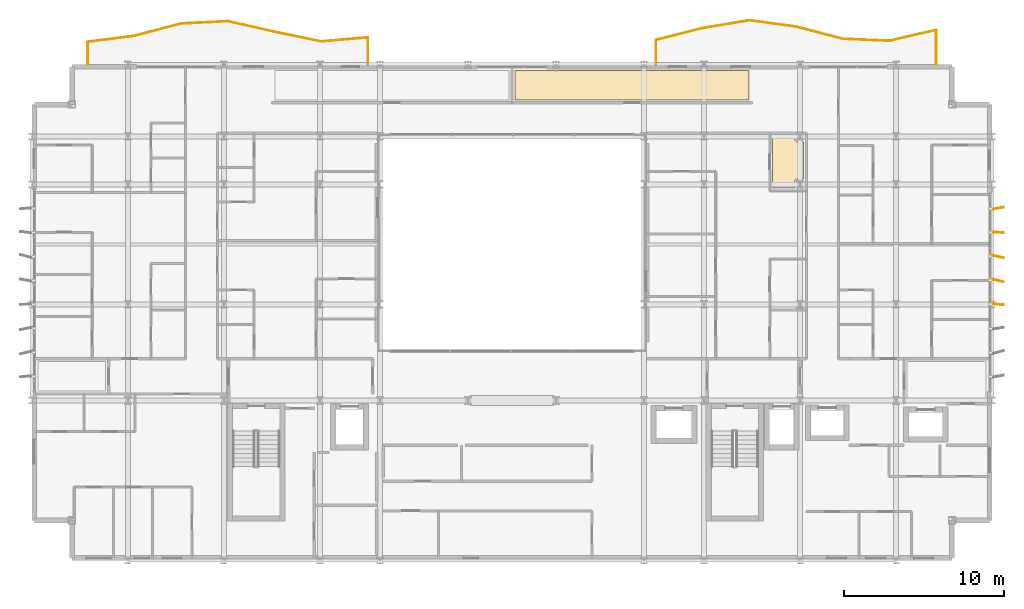
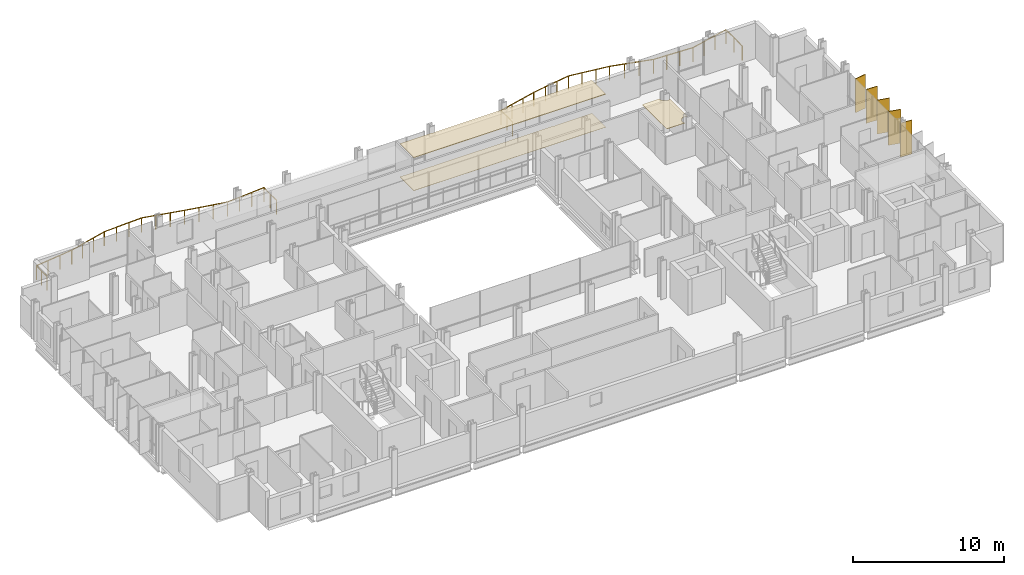
# One storey, part 39 of 39: 5 shading devices, 3 coverings, 2 railings.
"""IFC4 building model written with IfcOpenShell, lengths in metres."""

from ifc_helpers import new_model, si_unit, direction, frame, origin, origin_2d, place, context, subcontext, project, spatial, polyline, rectangle, circle, outline, extrude, material, layer, layer_set, type_object, element, save


model = new_model("IFC4")

# Units and contexts
model_context = context("Model", 3, precision=1e-05, world=origin(), true_north=direction((0.0, 1.0)))
body_context = subcontext(model_context, "Body", "Model", "MODEL_VIEW")
ifc_project = project(units=[si_unit("LENGTHUNIT", "METRE"), si_unit("AREAUNIT", "SQUARE_METRE"), si_unit("VOLUMEUNIT", "CUBIC_METRE"), si_unit("PLANEANGLEUNIT", "RADIAN"), si_unit("MASSUNIT", "GRAM", prefix="KILO")], contexts=[model_context])

# Site, building, storey
site_placement = place(None, origin())
site = spatial("IfcSite", under=ifc_project, at=site_placement, CompositionType="ELEMENT")
building_placement = place(site_placement, origin())
building = spatial("IfcBuilding", under=site, at=building_placement, Name="Brevholm Reach", CompositionType="ELEMENT")
storey_placement = place(building_placement, frame((0.0, 0.0, 40.39990234375)))
storey = spatial("IfcBuildingStorey", under=building, at=storey_placement, Name="L10", CompositionType="ELEMENT", Elevation=40.39990234375)

# Coverings
ifc_material_1 = material(Name="Perforated Mineral-Fibre Class-A Acoustic Suspended Ceiling", Category="gypsum")
ifc_layer_1 = layer(ifc_material_1, 0.044921875)
ifc_layer_set_1 = layer_set([ifc_layer_1], Name="Perforated Mineral-Fibre Class-A Acoustic Suspended Ceiling")
covering_type_1 = type_object("IfcCoveringType", Name="COV-CLG-AC", PredefinedType="CEILING", material=ifc_layer_set_1)
covering_1_placement = place(storey_placement, frame((0.0, 0.0, 2.655029296875)))
element("IfcCovering", 1, at=covering_1_placement, inside=storey, type_object=covering_type_1, Name="L10 Suspended Ceiling L10-79", PredefinedType="CEILING", context=body_context, shape_type="SweptSolid", body=[
    extrude(outline(polyline([(32.626220703125, 30.6201171875), (32.6337890625, 30.6171875), (32.672119140625, 30.607666015625), (32.710693359375, 30.601806640625), (32.75, 30.60009765625), (32.789306640625, 30.601806640625), (32.827880859375, 30.607666015625), (32.8662109375, 30.6171875), (32.873779296875, 30.6201171875), (38.126220703125, 30.6201171875), (38.1337890625, 30.6171875), (38.172119140625, 30.607666015625), (38.210693359375, 30.601806640625), (38.25, 30.60009765625), (38.289306640625, 30.601806640625), (38.327880859375, 30.607666015625), (38.3662109375, 30.6171875), (38.373779296875, 30.6201171875), (41.876220703125, 30.6201171875), (41.8837890625, 30.6171875), (41.922119140625, 30.607666015625), (41.960693359375, 30.601806640625), (42.0, 30.60009765625), (42.039306640625, 30.601806640625), (42.077880859375, 30.607666015625), (42.1162109375, 30.6171875), (42.123779296875, 30.6201171875), (44.820068359375, 30.6201171875), (44.820068359375, 28.783935546875), (30.18408203125, 28.783935546875), (30.18408203125, 30.6201171875), (32.626220703125, 30.6201171875)])), origin(), (0.0, 0.0, 1.0), 0.045166015625),
])
ifc_material_2 = material(Name="Moisture-Resistant Skimmed Gypsum Plasterboard Ceiling", Category="gypsum")
ifc_layer_2 = layer(ifc_material_2, 0.030029296875)
ifc_layer_set_2 = layer_set([ifc_layer_2], Name="Moisture-Resistant Skimmed Gypsum Plasterboard Ceiling")
covering_type_2 = type_object("IfcCoveringType", Name="COV-CLG-GYP", PredefinedType="CEILING", material=ifc_layer_set_2)
covering_2_placement = place(storey_placement, frame((0.0, 0.0, 2.670166015625)))
element("IfcCovering", 2, at=covering_2_placement, inside=storey, type_object=covering_type_2, Name="L10 Suspended Ceiling L10-63", PredefinedType="CEILING", context=body_context, shape_type="SweptSolid", body=[
    extrude(outline(polyline([(46.2919921875, 26.51611328125), (47.600830078125, 26.51611328125), (47.60009765625, 26.5), (47.601806640625, 26.460693359375), (47.607666015625, 26.422119140625), (47.6171875, 26.3837890625), (47.63037109375, 26.346923828125), (47.647216796875, 26.311279296875), (47.66748046875, 26.27783203125), (47.69091796875, 26.24609375), (47.71728515625, 26.21728515625), (47.74609375, 26.19091796875), (47.77783203125, 26.16748046875), (47.811279296875, 26.147216796875), (47.846923828125, 26.13037109375), (47.8837890625, 26.1171875), (47.922119140625, 26.107666015625), (47.960693359375, 26.101806640625), (48.0, 26.10009765625), (48.039306640625, 26.101806640625), (48.077880859375, 26.107666015625), (48.1162109375, 26.1171875), (48.153076171875, 26.13037109375), (48.188720703125, 26.147216796875), (48.216064453125, 26.163818359375), (48.216064453125, 23.836181640625), (48.188720703125, 23.852783203125), (48.153076171875, 23.86962890625), (48.1162109375, 23.8828125), (48.077880859375, 23.892333984375), (48.039306640625, 23.898193359375), (48.0, 23.89990234375), (47.960693359375, 23.898193359375), (47.922119140625, 23.892333984375), (47.8837890625, 23.8828125), (47.846923828125, 23.86962890625), (47.811279296875, 23.852783203125), (47.77783203125, 23.83251953125), (47.74609375, 23.80908203125), (47.71728515625, 23.78271484375), (47.69091796875, 23.75390625), (47.66748046875, 23.72216796875), (47.647216796875, 23.688720703125), (47.63037109375, 23.653076171875), (47.6171875, 23.6162109375), (47.607666015625, 23.577880859375), (47.601806640625, 23.539306640625), (47.60009765625, 23.5), (47.601806640625, 23.460693359375), (47.607666015625, 23.422119140625), (47.6171875, 23.3837890625), (47.63037109375, 23.346923828125), (47.647216796875, 23.311279296875), (47.666015625, 23.280029296875), (46.2919921875, 23.280029296875), (46.2919921875, 26.51611328125)])), origin(), (0.0, 0.0, 1.0), 0.030029296875),
])
ifc_material_3 = material(Name="Engineered European Oak Acoustic Plank Flooring", Category="timber")
ifc_layer_3 = layer(ifc_material_3, 0.02197265625)
ifc_layer_set_3 = layer_set([ifc_layer_3], Name="Engineered European Oak Acoustic Plank Flooring")
covering_type_3 = type_object("IfcCoveringType", Name="COV-FLR-OAK", PredefinedType="FLOORING", material=ifc_layer_set_3)
covering_3_placement = place(storey_placement, origin())
element("IfcCovering", 3, at=covering_3_placement, inside=storey, type_object=covering_type_3, Name="L10 Floor Finish L10-79", PredefinedType="FLOORING", context=body_context, shape_type="SweptSolid", body=[
    extrude(outline(polyline([(32.626220703125, 30.6201171875), (32.6337890625, 30.6171875), (32.672119140625, 30.607666015625), (32.710693359375, 30.601806640625), (32.75, 30.60009765625), (32.789306640625, 30.601806640625), (32.827880859375, 30.607666015625), (32.8662109375, 30.6171875), (32.873779296875, 30.6201171875), (38.126220703125, 30.6201171875), (38.1337890625, 30.6171875), (38.172119140625, 30.607666015625), (38.210693359375, 30.601806640625), (38.25, 30.60009765625), (38.289306640625, 30.601806640625), (38.327880859375, 30.607666015625), (38.3662109375, 30.6171875), (38.373779296875, 30.6201171875), (41.876220703125, 30.6201171875), (41.8837890625, 30.6171875), (41.922119140625, 30.607666015625), (41.960693359375, 30.601806640625), (42.0, 30.60009765625), (42.039306640625, 30.601806640625), (42.077880859375, 30.607666015625), (42.1162109375, 30.6171875), (42.123779296875, 30.6201171875), (44.820068359375, 30.6201171875), (44.820068359375, 28.783935546875), (30.18408203125, 28.783935546875), (30.18408203125, 30.6201171875), (32.626220703125, 30.6201171875)])), origin(), (0.0, 0.0, 1.0), 0.022216796875),
])

# Railings
ifc_material_4 = material(Name="Brushed Stainless Steel EN 1.4401 and Laminated Glass", Category="steel")
railing_type = type_object("IfcRailingType", Name="RAL-BALC-1150", PredefinedType="BALUSTRADE", material=ifc_material_4)
railing_1_placement = place(storey_placement, frame((56.5, 31.0, 0.0)))
element("IfcRailing", 4, at=railing_1_placement, inside=storey, type_object=railing_type, Name="L10 Guard Balustrade RAL-L10-BAL-NE", PredefinedType="BALUSTRADE", context=body_context, shape_type="SweptSolid", body=[
    extrude(circle(Radius=0.02392578125, at=origin_2d()), frame((0.0, 0.0, 1.1259765625), z_axis=(0.0, 1.0, 0.0), x_axis=(-1.0, 0.0, 0.0)), (0.0, 0.0, 1.0), 2.1455078125),
    extrude(circle(Radius=0.02392578125, at=origin_2d()), frame((0.0, 2.1455078125, 1.1259765625), z_axis=(-0.974086615793, -0.226175296912, 0.0), x_axis=(0.226175296912, -0.974086615793, 0.0)), (0.0, 0.0, 1.0), 2.994384765625),
    extrude(circle(Radius=0.02392578125, at=origin_2d()), frame((-2.916748046875, 1.46826171875, 1.1259765625), z_axis=(-0.999139150441, 0.041484431493, 0.0), x_axis=(-0.041484431493, -0.999139150441, 0.0)), (0.0, 0.0, 1.0), 2.9189453125),
    extrude(circle(Radius=0.02392578125, at=origin_2d()), frame((-5.833251953125, 1.58935546875, 1.1259765625), z_axis=(-0.967668860758, 0.252224058961, 0.0), x_axis=(-0.252224058961, -0.967668860758, 0.0)), (0.0, 0.0, 1.0), 3.01416015625),
    extrude(circle(Radius=0.02392578125, at=origin_2d()), frame((-8.75, 2.349609375, 1.1259765625), z_axis=(-0.990787222307, 0.135427767141, 0.0), x_axis=(-0.135427767141, -0.990787222307, 0.0)), (0.0, 0.0, 1.0), 2.94384765625),
    extrude(circle(Radius=0.02392578125, at=origin_2d()), frame((-11.666748046875, 2.748291015625, 1.1259765625), z_axis=(-0.986326897089, -0.164800643445, 0.0), x_axis=(0.164800643445, -0.986326897089, 0.0)), (0.0, 0.0, 1.0), 2.95703125),
    extrude(circle(Radius=0.02392578125, at=origin_2d()), frame((-14.583251953125, 2.260986328125, 1.1259765625), z_axis=(-0.969908046993, -0.243471518618, 0.0), x_axis=(0.243471518618, -0.969908046993, 0.0)), (0.0, 0.0, 1.0), 3.00732421875),
    extrude(circle(Radius=0.02392578125, at=origin_2d()), frame((-17.5, 1.52880859375, 1.1259765625), z_axis=(0.0, -1.0, 0.0), x_axis=(1.0, 0.0, 0.0)), (0.0, 0.0, 1.0), 1.52880859375),
    extrude(circle(Radius=0.02099609375, at=origin_2d()), origin(), (0.0, 0.0, 1.0), 1.101806640625),
    extrude(circle(Radius=0.02099609375, at=origin_2d()), frame((0.0, 1.07275390625, 0.0)), (0.0, 0.0, 1.0), 1.101806640625),
    extrude(circle(Radius=0.02099609375, at=origin_2d()), frame((0.0, 2.1455078125, 0.0)), (0.0, 0.0, 1.0), 1.101806640625),
    extrude(circle(Radius=0.02099609375, at=origin_2d()), frame((-0.97216796875, 1.919677734375, 0.0)), (0.0, 0.0, 1.0), 1.101806640625),
    extrude(circle(Radius=0.02099609375, at=origin_2d()), frame((-1.944580078125, 1.694091796875, 0.0)), (0.0, 0.0, 1.0), 1.101806640625),
    extrude(circle(Radius=0.02099609375, at=origin_2d()), frame((-2.916748046875, 1.46826171875, 0.0)), (0.0, 0.0, 1.0), 1.101806640625),
    extrude(circle(Radius=0.02099609375, at=origin_2d()), frame((-3.888916015625, 1.508544921875, 0.0)), (0.0, 0.0, 1.0), 1.101806640625),
    extrude(circle(Radius=0.02099609375, at=origin_2d()), frame((-4.861083984375, 1.549072265625, 0.0)), (0.0, 0.0, 1.0), 1.101806640625),
    extrude(circle(Radius=0.02099609375, at=origin_2d()), frame((-5.833251953125, 1.58935546875, 0.0)), (0.0, 0.0, 1.0), 1.101806640625),
    extrude(circle(Radius=0.02099609375, at=origin_2d()), frame((-6.805419921875, 1.8427734375, 0.0)), (0.0, 0.0, 1.0), 1.101806640625),
    extrude(circle(Radius=0.02099609375, at=origin_2d()), frame((-7.77783203125, 2.09619140625, 0.0)), (0.0, 0.0, 1.0), 1.101806640625),
    extrude(circle(Radius=0.02099609375, at=origin_2d()), frame((-8.75, 2.349609375, 0.0)), (0.0, 0.0, 1.0), 1.101806640625),
    extrude(circle(Radius=0.02099609375, at=origin_2d()), frame((-9.72216796875, 2.482421875, 0.0)), (0.0, 0.0, 1.0), 1.101806640625),
    extrude(circle(Radius=0.02099609375, at=origin_2d()), frame((-10.694580078125, 2.615478515625, 0.0)), (0.0, 0.0, 1.0), 1.101806640625),
    extrude(circle(Radius=0.02099609375, at=origin_2d()), frame((-11.666748046875, 2.748291015625, 0.0)), (0.0, 0.0, 1.0), 1.101806640625),
    extrude(circle(Radius=0.02099609375, at=origin_2d()), frame((-12.638916015625, 2.5859375, 0.0)), (0.0, 0.0, 1.0), 1.101806640625),
    extrude(circle(Radius=0.02099609375, at=origin_2d()), frame((-13.611083984375, 2.42333984375, 0.0)), (0.0, 0.0, 1.0), 1.101806640625),
    extrude(circle(Radius=0.02099609375, at=origin_2d()), frame((-14.583251953125, 2.260986328125, 0.0)), (0.0, 0.0, 1.0), 1.101806640625),
    extrude(circle(Radius=0.02099609375, at=origin_2d()), frame((-15.555419921875, 2.016845703125, 0.0)), (0.0, 0.0, 1.0), 1.101806640625),
    extrude(circle(Radius=0.02099609375, at=origin_2d()), frame((-16.52783203125, 1.77294921875, 0.0)), (0.0, 0.0, 1.0), 1.101806640625),
    extrude(circle(Radius=0.02099609375, at=origin_2d()), frame((-17.5, 1.52880859375, 0.0)), (0.0, 0.0, 1.0), 1.101806640625),
    extrude(circle(Radius=0.02099609375, at=origin_2d()), frame((-17.5, 0.764404296875, 0.0)), (0.0, 0.0, 1.0), 1.101806640625),
    extrude(circle(Radius=0.02099609375, at=origin_2d()), frame((-17.5, 0.0, 0.0)), (0.0, 0.0, 1.0), 1.101806640625),
])
railing_2_placement = place(storey_placement, frame((21.0, 31.0, 0.0)))
element("IfcRailing", 5, at=railing_2_placement, inside=storey, type_object=railing_type, Name="L10 Guard Balustrade RAL-L10-BAL-NW", PredefinedType="BALUSTRADE", context=body_context, shape_type="SweptSolid", body=[
    extrude(circle(Radius=0.02392578125, at=origin_2d()), frame((0.0, 0.0, 1.1259765625), z_axis=(0.0, 1.0, 0.0), x_axis=(-1.0, 0.0, 0.0)), (0.0, 0.0, 1.0), 1.67822265625),
    extrude(circle(Radius=0.02392578125, at=origin_2d()), frame((0.0, 1.67822265625, 1.1259765625), z_axis=(-0.996282713287, -0.086143805376, 0.0), x_axis=(0.086143805376, -0.996282713287, 0.0)), (0.0, 0.0, 1.0), 2.927734375),
    extrude(circle(Radius=0.02392578125, at=origin_2d()), frame((-2.916748046875, 1.426025390625, 1.1259765625), z_axis=(-0.979367411888, 0.202087784221, 0.0), x_axis=(-0.202087784221, -0.979367411888, 0.0)), (0.0, 0.0, 1.0), 2.97802734375),
    extrude(circle(Radius=0.02392578125, at=origin_2d()), frame((-5.833251953125, 2.02783203125, 1.1259765625), z_axis=(-0.975066268344, 0.221913884961, 0.0), x_axis=(-0.221913884961, -0.975066268344, 0.0)), (0.0, 0.0, 1.0), 2.991455078125),
    extrude(circle(Radius=0.02392578125, at=origin_2d()), frame((-8.75, 2.691650390625, 1.1259765625), z_axis=(-0.998720239463, -0.050575520622, 0.0), x_axis=(0.050575520622, -0.998720239463, 0.0)), (0.0, 0.0, 1.0), 2.92041015625),
    extrude(circle(Radius=0.02392578125, at=origin_2d()), frame((-11.666748046875, 2.5439453125, 1.1259765625), z_axis=(-0.967287116441, -0.253684123205, 0.0), x_axis=(0.253684123205, -0.967287116441, 0.0)), (0.0, 0.0, 1.0), 3.01513671875),
    extrude(circle(Radius=0.02392578125, at=origin_2d()), frame((-14.583251953125, 1.779052734375, 1.1259765625), z_axis=(-0.991825721968, -0.127599910828, 0.0), x_axis=(0.127599910828, -0.991825721968, 0.0)), (0.0, 0.0, 1.0), 2.940673828125),
    extrude(circle(Radius=0.02392578125, at=origin_2d()), frame((-17.5, 1.40380859375, 1.1259765625), z_axis=(0.0, -1.0, 0.0), x_axis=(1.0, 0.0, 0.0)), (0.0, 0.0, 1.0), 1.40380859375),
    extrude(circle(Radius=0.02099609375, at=origin_2d()), origin(), (0.0, 0.0, 1.0), 1.101806640625),
    extrude(circle(Radius=0.02099609375, at=origin_2d()), frame((0.0, 0.839111328125, 0.0)), (0.0, 0.0, 1.0), 1.101806640625),
    extrude(circle(Radius=0.02099609375, at=origin_2d()), frame((0.0, 1.67822265625, 0.0)), (0.0, 0.0, 1.0), 1.101806640625),
    extrude(circle(Radius=0.02099609375, at=origin_2d()), frame((-0.97216796875, 1.59423828125, 0.0)), (0.0, 0.0, 1.0), 1.101806640625),
    extrude(circle(Radius=0.02099609375, at=origin_2d()), frame((-1.944580078125, 1.510009765625, 0.0)), (0.0, 0.0, 1.0), 1.101806640625),
    extrude(circle(Radius=0.02099609375, at=origin_2d()), frame((-2.916748046875, 1.426025390625, 0.0)), (0.0, 0.0, 1.0), 1.101806640625),
    extrude(circle(Radius=0.02099609375, at=origin_2d()), frame((-3.888916015625, 1.626708984375, 0.0)), (0.0, 0.0, 1.0), 1.101806640625),
    extrude(circle(Radius=0.02099609375, at=origin_2d()), frame((-4.861083984375, 1.8271484375, 0.0)), (0.0, 0.0, 1.0), 1.101806640625),
    extrude(circle(Radius=0.02099609375, at=origin_2d()), frame((-5.833251953125, 2.02783203125, 0.0)), (0.0, 0.0, 1.0), 1.101806640625),
    extrude(circle(Radius=0.02099609375, at=origin_2d()), frame((-6.805419921875, 2.2490234375, 0.0)), (0.0, 0.0, 1.0), 1.101806640625),
    extrude(circle(Radius=0.02099609375, at=origin_2d()), frame((-7.77783203125, 2.470458984375, 0.0)), (0.0, 0.0, 1.0), 1.101806640625),
    extrude(circle(Radius=0.02099609375, at=origin_2d()), frame((-8.75, 2.691650390625, 0.0)), (0.0, 0.0, 1.0), 1.101806640625),
    extrude(circle(Radius=0.02099609375, at=origin_2d()), frame((-9.72216796875, 2.642333984375, 0.0)), (0.0, 0.0, 1.0), 1.101806640625),
    extrude(circle(Radius=0.02099609375, at=origin_2d()), frame((-10.694580078125, 2.59326171875, 0.0)), (0.0, 0.0, 1.0), 1.101806640625),
    extrude(circle(Radius=0.02099609375, at=origin_2d()), frame((-11.666748046875, 2.5439453125, 0.0)), (0.0, 0.0, 1.0), 1.101806640625),
    extrude(circle(Radius=0.02099609375, at=origin_2d()), frame((-12.638916015625, 2.2890625, 0.0)), (0.0, 0.0, 1.0), 1.101806640625),
    extrude(circle(Radius=0.02099609375, at=origin_2d()), frame((-13.611083984375, 2.033935546875, 0.0)), (0.0, 0.0, 1.0), 1.101806640625),
    extrude(circle(Radius=0.02099609375, at=origin_2d()), frame((-14.583251953125, 1.779052734375, 0.0)), (0.0, 0.0, 1.0), 1.101806640625),
    extrude(circle(Radius=0.02099609375, at=origin_2d()), frame((-15.555419921875, 1.654052734375, 0.0)), (0.0, 0.0, 1.0), 1.101806640625),
    extrude(circle(Radius=0.02099609375, at=origin_2d()), frame((-16.52783203125, 1.52880859375, 0.0)), (0.0, 0.0, 1.0), 1.101806640625),
    extrude(circle(Radius=0.02099609375, at=origin_2d()), frame((-17.5, 1.40380859375, 0.0)), (0.0, 0.0, 1.0), 1.101806640625),
    extrude(circle(Radius=0.02099609375, at=origin_2d()), frame((-17.5, 0.701904296875, 0.0)), (0.0, 0.0, 1.0), 1.101806640625),
    extrude(circle(Radius=0.02099609375, at=origin_2d()), frame((-17.5, 0.0, 0.0)), (0.0, 0.0, 1.0), 1.101806640625),
])

# Shading devices
ifc_material_5 = material(Name="Perforated Champagne-Bronze Anodised Aluminium", Category="aluminium")
ifc_layer_4 = layer(ifc_material_5, 0.054931640625)
ifc_layer_set_4 = layer_set([ifc_layer_4], Name="Perforated Champagne-Bronze Anodised Aluminium")
shading_device_type = type_object("IfcShadingDeviceType", Name="SHD-FIN-850", PredefinedType="USERDEFINED", material=ifc_layer_set_4)
for number, where, z_axis, x_axis, name in (
    (6, (60.31494140625, 16.0, 0.070068359375), (0.0, 0.0, 1.0), (0.998033298364, -0.062686006071, 0.0), "L10 Perforated Solar Screen Fin 4"),
    (7, (60.31494140625, 17.5, 0.070068359375), (0.0, 0.0, 1.0), (0.975071959883, -0.221888875454, 0.0), "L10 Perforated Solar Screen Fin 5"),
    (8, (60.31494140625, 19.0, 0.070068359375), (0.0, 0.0, 1.0), (0.976702251522, -0.214598955899, 0.0), "L10 Perforated Solar Screen Fin 6"),
    (9, (60.31494140625, 20.5, 0.070068359375), (0.0, 0.0, 1.0), (0.998944276893, -0.045938346317, 0.0), "L10 Perforated Solar Screen Fin 7"),
    (10, (60.31494140625, 22.0, 0.070068359375), (0.0, 0.0, 1.0), (0.987388951158, 0.158313167901, 0.0), "L10 Perforated Solar Screen Fin 8"),
):
    element("IfcShadingDevice", number, at=place(storey_placement, frame(where, z_axis=z_axis, x_axis=x_axis)), inside=storey, type_object=shading_device_type, Name=name, ObjectType="SCREEN", PredefinedType="USERDEFINED", context=body_context, shape_type="SweptSolid", body=[
        extrude(rectangle(XDim=0.85009765625, YDim=0.054931640625, at=origin_2d()), origin(), (0.0, 0.0, 1.0), 2.72998046875),
    ])

save(model, "model.ifc")
